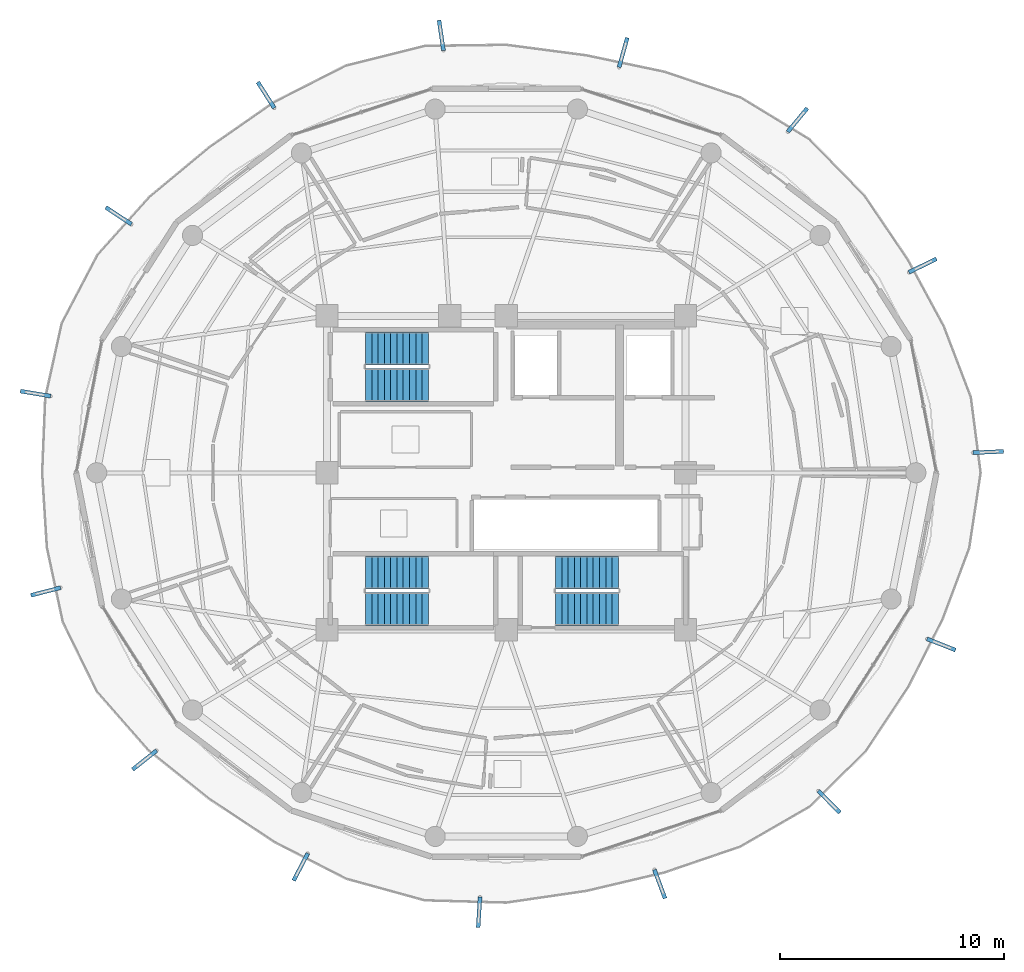
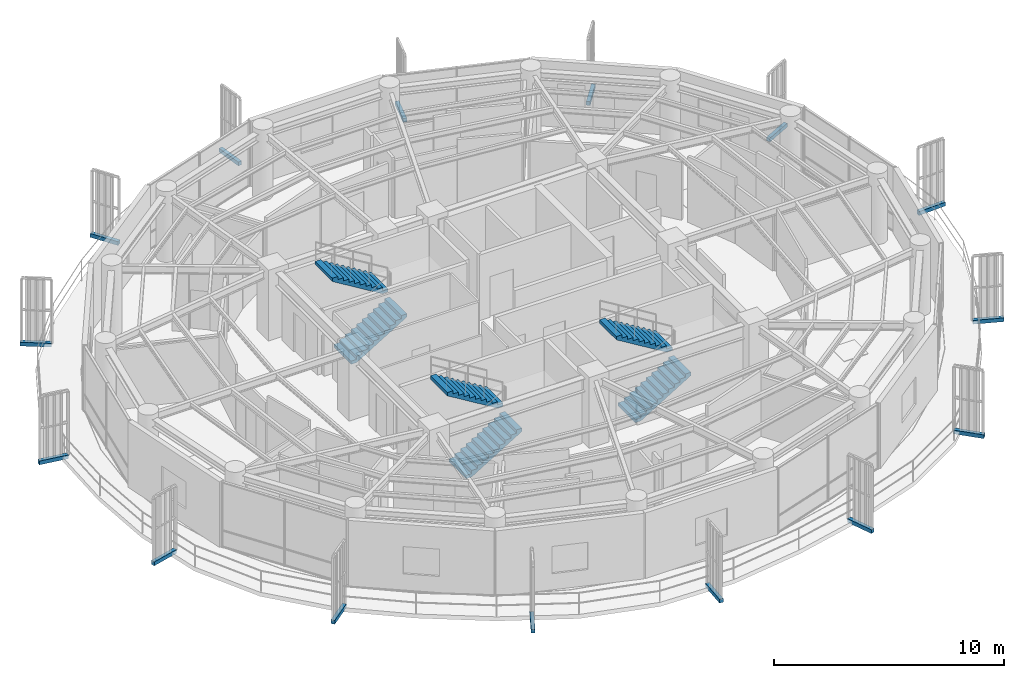
# One storey, part 18 of 22: 15 discrete accessories, 6 stair flights, 3 elements without a shape of their own.
"""IFC4 building model written with IfcOpenShell, lengths in metres."""

from ifc_helpers import new_model, si_unit, direction, frame, origin, origin_2d, place, context, subcontext, project, spatial, polyline, rectangle, outline, extrude, source, transform, mapped, material, type_object, element, aggregate, save


model = new_model("IFC4")

# Units and contexts
model_context = context("Model", 3, precision=1e-05, world=origin(), true_north=direction((0.0, 1.0)))
body_context = subcontext(model_context, "Body", "Model", "MODEL_VIEW")
ifc_project = project(units=[si_unit("LENGTHUNIT", "METRE"), si_unit("AREAUNIT", "SQUARE_METRE"), si_unit("VOLUMEUNIT", "CUBIC_METRE"), si_unit("PLANEANGLEUNIT", "RADIAN"), si_unit("MASSUNIT", "GRAM", prefix="KILO")], contexts=[model_context])

# Site, building, storey
site_placement = place(None, origin())
site = spatial("IfcSite", under=ifc_project, at=site_placement, CompositionType="ELEMENT")
building_placement = place(site_placement, origin())
building = spatial("IfcBuilding", under=site, at=building_placement, Name="Kelanora Arch Commons", CompositionType="ELEMENT")
storey_placement = place(building_placement, frame((0.0, 0.0, 271.199951171875)))
storey = spatial("IfcBuildingStorey", under=building, at=storey_placement, Name="L69", CompositionType="ELEMENT", Elevation=271.199951171875)

# Stair, stair flights
ifc_material_1 = material(Name="Concrete C40/50", Category="concrete")
stair_type = type_object("IfcStairType", Name="STR-DL-375", PredefinedType="HALF_TURN_STAIR", material=ifc_material_1)
stair_1_placement = place(storey_placement, origin())
stair_1 = element("IfcStair", 1, at=stair_1_placement, inside=storey, type_object=stair_type, Name="L69 ST-T1", PredefinedType="HALF_TURN_STAIR")
stair_flight_type = type_object("IfcStairFlightType", Name="FLT-DL-375", PredefinedType="STRAIGHT", material=ifc_material_1)
stair_flight_1_placement = place(storey_placement, frame((67.719970703125, 61.919921875, 0.0), z_axis=(0.0, 0.0, 1.0), x_axis=(1.0, 0.0, 0.0)))
stair_flight_1 = element("IfcStairFlight", 2, at=stair_flight_1_placement, type_object=stair_flight_type, Name="ST-T1 flight 1", NumberOfRisers=11, NumberOfTreads=10, PredefinedType="STRAIGHT", RiserHeight=0.170454545, TreadLength=0.28, context=body_context, shape_type="SweptSolid", body=[
    extrude(outline(polyline([(0.0, 0.0), (0.0, 0.17041015625), (0.280029296875, 0.17041015625), (0.280029296875, 0.3408203125), (0.56005859375, 0.3408203125), (0.56005859375, 0.511474609375), (0.840087890625, 0.511474609375), (0.840087890625, 0.681884765625), (1.1201171875, 0.681884765625), (1.1201171875, 0.852294921875), (1.39990234375, 0.852294921875), (1.39990234375, 1.022705078125), (1.679931640625, 1.022705078125), (1.679931640625, 1.193115234375), (1.9599609375, 1.193115234375), (1.9599609375, 1.363525390625), (2.239990234375, 1.363525390625), (2.239990234375, 1.5341796875), (2.52001953125, 1.5341796875), (2.52001953125, 1.70458984375), (2.800048828125, 1.70458984375), (2.800048828125, 1.875), (2.800048828125, 1.529052734375), (0.288330078125, 0.0), (0.0, 0.0)])), frame((0.0, 0.739990234375, 0.0), z_axis=(0.0, -1.0, 0.0), x_axis=(1.0, 0.0, 0.0)), (0.0, 0.0, 1.0), 1.47998046875),
])
stair_flight_2_placement = place(storey_placement, frame((70.52001953125, 63.550048828125, 1.875), z_axis=(0.0, 0.0, 1.0), x_axis=(-1.0, 0.0, 0.0)))
stair_flight_2 = element("IfcStairFlight", 3, at=stair_flight_2_placement, type_object=stair_flight_type, Name="ST-T1 flight 2", NumberOfRisers=11, NumberOfTreads=10, PredefinedType="STRAIGHT", RiserHeight=0.170454545, TreadLength=0.28, context=body_context, shape_type="SweptSolid", body=[
    extrude(outline(polyline([(0.0, 0.0), (0.0, 0.17041015625), (0.280029296875, 0.17041015625), (0.280029296875, 0.3408203125), (0.56005859375, 0.3408203125), (0.56005859375, 0.511474609375), (0.840087890625, 0.511474609375), (0.840087890625, 0.681884765625), (1.1201171875, 0.681884765625), (1.1201171875, 0.852294921875), (1.39990234375, 0.852294921875), (1.39990234375, 1.022705078125), (1.679931640625, 1.022705078125), (1.679931640625, 1.193115234375), (1.9599609375, 1.193115234375), (1.9599609375, 1.363525390625), (2.239990234375, 1.363525390625), (2.239990234375, 1.5341796875), (2.52001953125, 1.5341796875), (2.52001953125, 1.70458984375), (2.800048828125, 1.70458984375), (2.800048828125, 1.875), (2.800048828125, 1.529052734375), (0.288330078125, 0.0), (0.0, 0.0)])), frame((0.0, 0.739990234375, 0.0), z_axis=(0.0, -1.0, 0.0), x_axis=(1.0, 0.0, 0.0)), (0.0, 0.0, 1.0), 1.47998046875),
])
aggregate(stair_1, [stair_flight_1, stair_flight_2])

stair_2_placement = place(storey_placement, origin())
stair_2 = element("IfcStair", 4, at=stair_2_placement, inside=storey, type_object=stair_type, Name="L69 ST-T2", PredefinedType="HALF_TURN_STAIR")
stair_flight_3_placement = place(storey_placement, frame((76.199951171875, 51.919921875, 0.0), z_axis=(0.0, 0.0, 1.0), x_axis=(1.0, 0.0, 0.0)))
stair_flight_3 = element("IfcStairFlight", 5, at=stair_flight_3_placement, type_object=stair_flight_type, Name="ST-T2 flight 1", NumberOfRisers=11, NumberOfTreads=10, PredefinedType="STRAIGHT", RiserHeight=0.170454545, TreadLength=0.28, context=body_context, shape_type="SweptSolid", body=[
    extrude(outline(polyline([(0.0, 0.0), (0.0, 0.17041015625), (0.280029296875, 0.17041015625), (0.280029296875, 0.3408203125), (0.56005859375, 0.3408203125), (0.56005859375, 0.511474609375), (0.840087890625, 0.511474609375), (0.840087890625, 0.681884765625), (1.1201171875, 0.681884765625), (1.1201171875, 0.852294921875), (1.39990234375, 0.852294921875), (1.39990234375, 1.022705078125), (1.679931640625, 1.022705078125), (1.679931640625, 1.193115234375), (1.9599609375, 1.193115234375), (1.9599609375, 1.363525390625), (2.239990234375, 1.363525390625), (2.239990234375, 1.5341796875), (2.52001953125, 1.5341796875), (2.52001953125, 1.70458984375), (2.800048828125, 1.70458984375), (2.800048828125, 1.875), (2.800048828125, 1.529052734375), (0.288330078125, 0.0), (0.0, 0.0)])), frame((0.0, 0.739990234375, 0.0), z_axis=(0.0, -1.0, 0.0), x_axis=(1.0, 0.0, 0.0)), (0.0, 0.0, 1.0), 1.47998046875),
])
stair_flight_4_placement = place(storey_placement, frame((79.0, 53.550048828125, 1.875), z_axis=(0.0, 0.0, 1.0), x_axis=(-1.0, 0.0, 0.0)))
stair_flight_4 = element("IfcStairFlight", 6, at=stair_flight_4_placement, type_object=stair_flight_type, Name="ST-T2 flight 2", NumberOfRisers=11, NumberOfTreads=10, PredefinedType="STRAIGHT", RiserHeight=0.170454545, TreadLength=0.28, context=body_context, shape_type="SweptSolid", body=[
    extrude(outline(polyline([(0.0, 0.0), (0.0, 0.17041015625), (0.280029296875, 0.17041015625), (0.280029296875, 0.3408203125), (0.56005859375, 0.3408203125), (0.56005859375, 0.511474609375), (0.840087890625, 0.511474609375), (0.840087890625, 0.681884765625), (1.1201171875, 0.681884765625), (1.1201171875, 0.852294921875), (1.39990234375, 0.852294921875), (1.39990234375, 1.022705078125), (1.679931640625, 1.022705078125), (1.679931640625, 1.193115234375), (1.9599609375, 1.193115234375), (1.9599609375, 1.363525390625), (2.239990234375, 1.363525390625), (2.239990234375, 1.5341796875), (2.52001953125, 1.5341796875), (2.52001953125, 1.70458984375), (2.800048828125, 1.70458984375), (2.800048828125, 1.875), (2.800048828125, 1.529052734375), (0.288330078125, 0.0), (0.0, 0.0)])), frame((0.0, 0.739990234375, 0.0), z_axis=(0.0, -1.0, 0.0), x_axis=(1.0, 0.0, 0.0)), (0.0, 0.0, 1.0), 1.47998046875),
])
aggregate(stair_2, [stair_flight_3, stair_flight_4])

stair_3_placement = place(storey_placement, origin())
stair_3 = element("IfcStair", 7, at=stair_3_placement, inside=storey, type_object=stair_type, Name="L69 ST-T3", PredefinedType="HALF_TURN_STAIR")
stair_flight_5_placement = place(storey_placement, frame((67.719970703125, 51.919921875, 0.0), z_axis=(0.0, 0.0, 1.0), x_axis=(1.0, 0.0, 0.0)))
stair_flight_5 = element("IfcStairFlight", 8, at=stair_flight_5_placement, type_object=stair_flight_type, Name="ST-T3 flight 1", NumberOfRisers=11, NumberOfTreads=10, PredefinedType="STRAIGHT", RiserHeight=0.170454545, TreadLength=0.28, context=body_context, shape_type="SweptSolid", body=[
    extrude(outline(polyline([(0.0, 0.0), (0.0, 0.17041015625), (0.280029296875, 0.17041015625), (0.280029296875, 0.3408203125), (0.56005859375, 0.3408203125), (0.56005859375, 0.511474609375), (0.840087890625, 0.511474609375), (0.840087890625, 0.681884765625), (1.1201171875, 0.681884765625), (1.1201171875, 0.852294921875), (1.39990234375, 0.852294921875), (1.39990234375, 1.022705078125), (1.679931640625, 1.022705078125), (1.679931640625, 1.193115234375), (1.9599609375, 1.193115234375), (1.9599609375, 1.363525390625), (2.239990234375, 1.363525390625), (2.239990234375, 1.5341796875), (2.52001953125, 1.5341796875), (2.52001953125, 1.70458984375), (2.800048828125, 1.70458984375), (2.800048828125, 1.875), (2.800048828125, 1.529052734375), (0.288330078125, 0.0), (0.0, 0.0)])), frame((0.0, 0.739990234375, 0.0), z_axis=(0.0, -1.0, 0.0), x_axis=(1.0, 0.0, 0.0)), (0.0, 0.0, 1.0), 1.47998046875),
])
stair_flight_6_placement = place(storey_placement, frame((70.52001953125, 53.550048828125, 1.875), z_axis=(0.0, 0.0, 1.0), x_axis=(-1.0, 0.0, 0.0)))
stair_flight_6 = element("IfcStairFlight", 9, at=stair_flight_6_placement, type_object=stair_flight_type, Name="ST-T3 flight 2", NumberOfRisers=11, NumberOfTreads=10, PredefinedType="STRAIGHT", RiserHeight=0.170454545, TreadLength=0.28, context=body_context, shape_type="SweptSolid", body=[
    extrude(outline(polyline([(0.0, 0.0), (0.0, 0.17041015625), (0.280029296875, 0.17041015625), (0.280029296875, 0.3408203125), (0.56005859375, 0.3408203125), (0.56005859375, 0.511474609375), (0.840087890625, 0.511474609375), (0.840087890625, 0.681884765625), (1.1201171875, 0.681884765625), (1.1201171875, 0.852294921875), (1.39990234375, 0.852294921875), (1.39990234375, 1.022705078125), (1.679931640625, 1.022705078125), (1.679931640625, 1.193115234375), (1.9599609375, 1.193115234375), (1.9599609375, 1.363525390625), (2.239990234375, 1.363525390625), (2.239990234375, 1.5341796875), (2.52001953125, 1.5341796875), (2.52001953125, 1.70458984375), (2.800048828125, 1.70458984375), (2.800048828125, 1.875), (2.800048828125, 1.529052734375), (0.288330078125, 0.0), (0.0, 0.0)])), frame((0.0, 0.739990234375, 0.0), z_axis=(0.0, -1.0, 0.0), x_axis=(1.0, 0.0, 0.0)), (0.0, 0.0, 1.0), 1.47998046875),
])
aggregate(stair_3, [stair_flight_5, stair_flight_6])

# Discrete accessories
ifc_material_2 = material(Name="Stainless steel 316 marine fin bracket", Category="steel")
discrete_accessory_type = type_object("IfcDiscreteAccessoryType", Name="ACC-FIN-BRK", PredefinedType="BRACKET", material=ifc_material_2)
shared_shape = source(origin(), body_context, "Body", "SweptSolid", [
    extrude(rectangle(XDim=1.364990234375, YDim=0.179931640625, at=origin_2d()), origin(), (0.0, 0.0, 1.0), 0.199951171875),
])
for number, where, z_axis, x_axis, name in (
    (10, (93.412353515625, 50.3369140625, -0.16015625), (0.0, 0.0, 1.0), (0.930161475141, -0.367150691357, 0.0), "Sweeping Fin Cantilever Spine Bracket L69-00"),
    (11, (95.511474609375, 58.92333984375, -0.16015625), (0.0, 0.0, 1.0), (0.999078430194, 0.042921909558, 0.0), "Sweeping Fin Cantilever Spine Bracket L69-01"),
    (12, (92.583984375, 67.248779296875, -0.16015625), (0.0, 0.0, 1.0), (0.895245648325, 0.445572922377, 0.0), "Sweeping Fin Cantilever Spine Bracket L69-02"),
    (13, (86.997314453125, 73.74365234375, -0.16015625), (0.0, 0.0, 1.0), (0.636616760808, 0.771180329014, 0.0), "Sweeping Fin Cantilever Spine Bracket L69-03"),
    (14, (79.21630859375, 76.756103515625, -0.16015625), (0.0, 0.0, 1.0), (0.267911051866, 0.963443650811, 0.0), "Sweeping Fin Cantilever Spine Bracket L69-04"),
    (15, (71.097412109375, 77.51904296875, -0.16015625), (0.0, 0.0, 1.0), (-0.147118911839, 0.989118812772, 0.0), "Sweeping Fin Cantilever Spine Bracket L69-05"),
    (16, (63.277587890625, 74.858154296875, -0.16015625), (0.0, 0.0, 1.0), (-0.536710679153, 0.843766346142, 0.0), "Sweeping Fin Cantilever Spine Bracket L69-06"),
    (17, (56.700439453125, 69.468505859375, -0.16015625), (0.0, 0.0, 1.0), (-0.833500294179, 0.552519012888, 0.0), "Sweeping Fin Cantilever Spine Bracket L69-07"),
    (18, (52.99072265625, 61.531494140625, -0.16015625), (0.0, 0.0, 1.0), (-0.986170136229, 0.165736122828, 0.0), "Sweeping Fin Cantilever Spine Bracket L69-08"),
    (19, (53.444580078125, 52.7001953125, -0.16015625), (0.0, 0.0, 1.0), (-0.96832220265, -0.249704048534, 0.0), "Sweeping Fin Cantilever Spine Bracket L69-09"),
    (20, (57.85888671875, 45.179931640625, -0.16015625), (0.0, 0.0, 1.0), (-0.783042563302, -0.621968121415, 0.0), "Sweeping Fin Cantilever Spine Bracket L69-10"),
    (21, (64.82470703125, 40.406005859375, -0.16015625), (0.0, 0.0, 1.0), (-0.462367751041, -0.886688255701, 0.0), "Sweeping Fin Cantilever Spine Bracket L69-11"),
    (22, (72.786376953125, 38.391845703125, -0.16015625), (0.0, 0.0, 1.0), (-0.061745354146, -0.998091935265, 0.0), "Sweeping Fin Cantilever Spine Bracket L69-12"),
    (23, (80.847900390625, 39.643310546875, -0.16015625), (0.0, 0.0, 1.0), (0.349553375421, -0.936916451842, 0.0), "Sweeping Fin Cantilever Spine Bracket L69-13"),
    (24, (88.408203125, 43.316650390625, -0.16015625), (0.0, 0.0, 1.0), (0.700411150784, -0.713739602276, 0.0), "Sweeping Fin Cantilever Spine Bracket L69-14"),
):
    element("IfcDiscreteAccessory", number, at=place(storey_placement, frame(where, z_axis=z_axis, x_axis=x_axis)), inside=storey, type_object=discrete_accessory_type, Name=name, PredefinedType="BRACKET", context=body_context, shape_type="MappedRepresentation", body=[
        mapped(shared_shape, transform((0.0, 0.0, 0.0), scale=1.0)),
    ])

save(model, "model.ifc")
